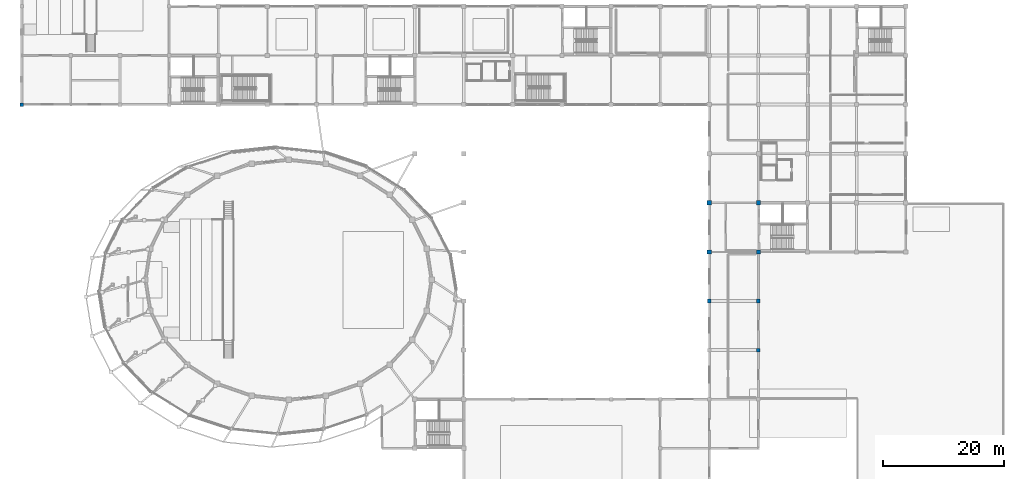
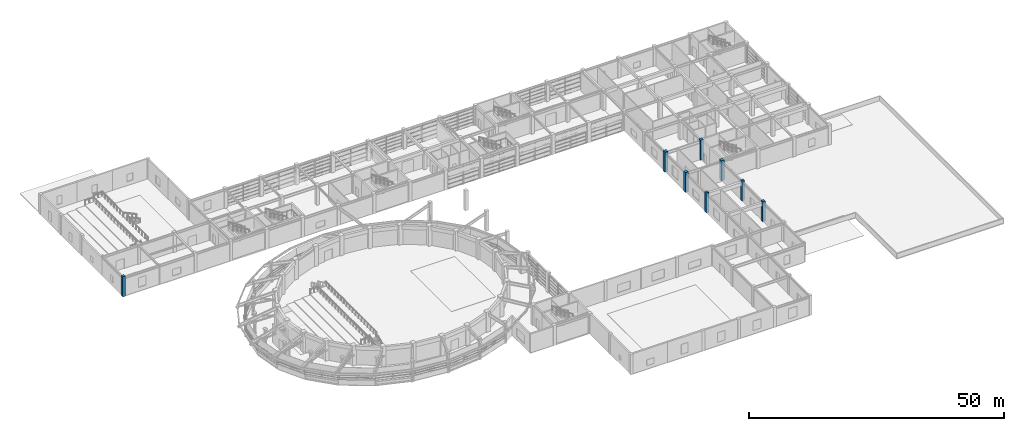
# One storey, part 6 of 56: 8 columns.
"""IFC4 building model written with IfcOpenShell, lengths in metres."""

from ifc_helpers import new_model, si_unit, direction, frame, origin, origin_2d, place, context, subcontext, project, spatial, rectangle, extrude, material, material_profile, profile_set, type_object, element, save


model = new_model("IFC4")

# Units and contexts
model_context = context("Model", 3, precision=1e-05, world=origin(), true_north=direction((0.0, 1.0)))
body_context = subcontext(model_context, "Body", "Model", "MODEL_VIEW")
ifc_project = project(units=[si_unit("LENGTHUNIT", "METRE"), si_unit("AREAUNIT", "SQUARE_METRE"), si_unit("VOLUMEUNIT", "CUBIC_METRE"), si_unit("PLANEANGLEUNIT", "RADIAN"), si_unit("MASSUNIT", "GRAM", prefix="KILO")], contexts=[model_context])

# Site, building, storey
site_placement = place(None, origin())
site = spatial("IfcSite", under=ifc_project, at=site_placement, CompositionType="ELEMENT")
building_placement = place(site_placement, origin())
building = spatial("IfcBuilding", under=site, at=building_placement, Name="Parian Resonance Hall", CompositionType="ELEMENT")
storey_placement = place(building_placement, frame((0.0, 0.0, 5.39990234375)))
storey = spatial("IfcBuildingStorey", under=building, at=storey_placement, Name="L01", CompositionType="ELEMENT", Elevation=5.39990234375)

# Columns
ifc_material_1 = material(Name="Concrete C40/50", Category="concrete")
ifc_material_profile_1 = material_profile(ifc_material_1, rectangle(XDim=0.60009765625, YDim=0.60009765625, at=origin_2d()), Name="RC-COL-600x600")
ifc_profile_set_1 = profile_set([ifc_material_profile_1], Name="Concrete C40/50")
column_type_1 = type_object("IfcColumnType", Name="COL-RC600", PredefinedType="COLUMN", material=ifc_profile_set_1)
for number, where, z_axis, x_axis, name in (
    (1, (0.0, 72.89990234375, 0.0), (0.0, 0.0, 1.0), (1.0, 0.0, 0.0), "Column G01-10 L01"),
    (2, (113.39990234375, 40.5, 0.0), (0.0, 0.0, 1.0), (1.0, 0.0, 0.0), "Column G15-06 L01"),
    (3, (121.5, 32.39990234375, 0.0), (0.0, 0.0, 1.0), (1.0, 0.0, 0.0), "Column G16-05 L01"),
    (4, (121.5, 40.5, 0.0), (0.0, 0.0, 1.0), (1.0, 0.0, 0.0), "Column G16-06 L01"),
):
    element("IfcColumn", number, at=place(storey_placement, frame(where, z_axis=z_axis, x_axis=x_axis)), inside=storey, type_object=column_type_1, Name=name, PredefinedType="COLUMN", context=body_context, shape_type="SweptSolid", body=[
        extrude(rectangle(XDim=0.60009765625, YDim=0.60009765625, at=origin_2d()), origin(), (0.0, 0.0, 1.0), 4.800048828125),
    ])
ifc_material_2 = material(Name="Concrete C40/50", Category="concrete")
ifc_material_profile_2 = material_profile(ifc_material_2, rectangle(XDim=0.699951171875, YDim=0.699951171875, at=origin_2d()), Name="RC-COL-700x700")
ifc_profile_set_2 = profile_set([ifc_material_profile_2], Name="Concrete C40/50")
column_type_2 = type_object("IfcColumnType", Name="COL-RC700", PredefinedType="COLUMN", material=ifc_profile_set_2)
for number, where, z_axis, x_axis, name in (
    (5, (113.39990234375, 48.60009765625, 0.0), (0.0, 0.0, 1.0), (1.0, 0.0, 0.0), "Column G15-07 L01"),
    (6, (113.39990234375, 56.699951171875, 0.0), (0.0, 0.0, 1.0), (1.0, 0.0, 0.0), "Column G15-08 L01"),
    (7, (121.5, 48.60009765625, 0.0), (0.0, 0.0, 1.0), (1.0, 0.0, 0.0), "Column G16-07 L01"),
    (8, (121.5, 56.699951171875, 0.0), (0.0, 0.0, 1.0), (1.0, 0.0, 0.0), "Column G16-08 L01"),
):
    element("IfcColumn", number, at=place(storey_placement, frame(where, z_axis=z_axis, x_axis=x_axis)), inside=storey, type_object=column_type_2, Name=name, PredefinedType="COLUMN", context=body_context, shape_type="SweptSolid", body=[
        extrude(rectangle(XDim=0.699951171875, YDim=0.699951171875, at=origin_2d()), origin(), (0.0, 0.0, 1.0), 4.800048828125),
    ])

save(model, "model.ifc")
